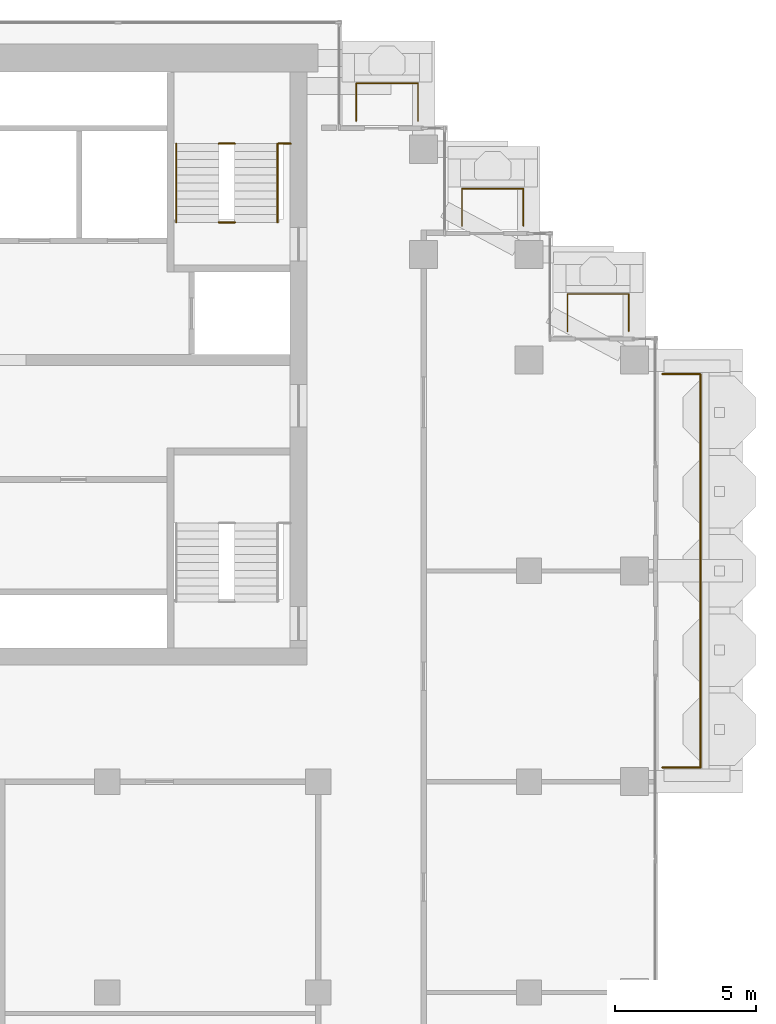
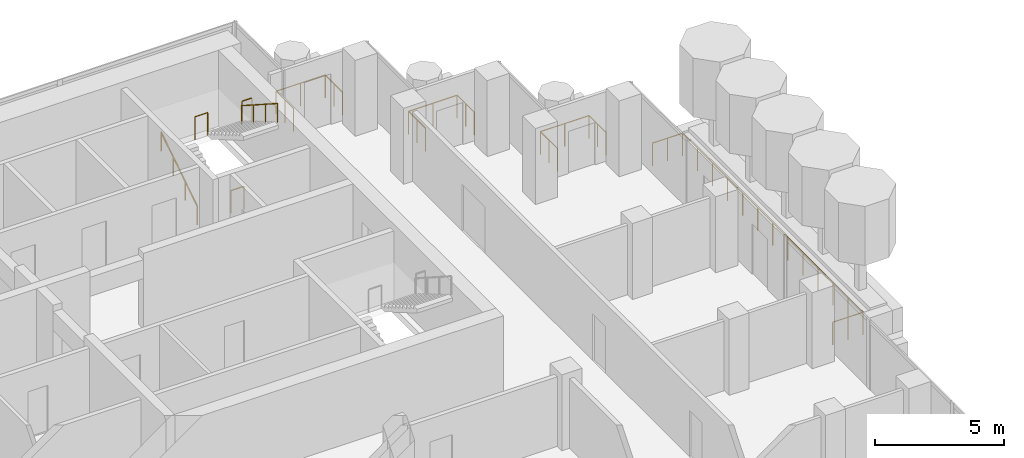
# One storey, part 17 of 18: 9 railings.
"""IFC4 building model written with IfcOpenShell, lengths in metres."""

from ifc_helpers import new_model, si_unit, direction, frame, origin, origin_2d, place, context, subcontext, project, spatial, circle, extrude, material, type_object, element, save


model = new_model("IFC4")

# Units and contexts
model_context = context("Model", 3, precision=1e-05, world=origin(), true_north=direction((0.0, 1.0)))
body_context = subcontext(model_context, "Body", "Model", "MODEL_VIEW")
ifc_project = project(units=[si_unit("LENGTHUNIT", "METRE"), si_unit("AREAUNIT", "SQUARE_METRE"), si_unit("VOLUMEUNIT", "CUBIC_METRE"), si_unit("PLANEANGLEUNIT", "RADIAN"), si_unit("MASSUNIT", "GRAM", prefix="KILO")], contexts=[model_context])

# Site, building, storey
site_placement = place(None, origin())
site = spatial("IfcSite", under=ifc_project, at=site_placement, CompositionType="ELEMENT")
building_placement = place(site_placement, origin())
building = spatial("IfcBuilding", under=site, at=building_placement, Name="Pilkhan Gate Tower", CompositionType="ELEMENT")
storey_placement = place(building_placement, frame((0.0, 0.0, 203.10009765625)))
storey = spatial("IfcBuildingStorey", under=building, at=storey_placement, Name="L52", CompositionType="ELEMENT", Elevation=203.10009765625)

# Railings
ifc_material_1 = material(Name="Pale anodised aluminium posts, laminated glass infill", Category="aluminium")
railing_type_1 = type_object("IfcRailingType", Name="Balcony guard G1", PredefinedType="BALUSTRADE", material=ifc_material_1)
railing_1_placement = place(storey_placement, frame((102.25, 68.0, 0.0)))
element("IfcRailing", 1, at=railing_1_placement, inside=storey, type_object=railing_type_1, Name="Balcony guard L52 E", PredefinedType="BALUSTRADE", context=body_context, shape_type="SweptSolid", body=[
    extrude(circle(Radius=0.02392578125, at=origin_2d()), frame((0.0, 0.0, 1.076171875), z_axis=(1.0, 0.0, 0.0), x_axis=(0.0, 1.0, 0.0)), (0.0, 0.0, 1.0), 1.35009765625),
    extrude(circle(Radius=0.02392578125, at=origin_2d()), frame((1.35009765625, 0.0, 1.076171875), z_axis=(0.0, 1.0, 0.0), x_axis=(-1.0, 0.0, 0.0)), (0.0, 0.0, 1.0), 14.0),
    extrude(circle(Radius=0.02392578125, at=origin_2d()), frame((1.35009765625, 14.0, 1.076171875), z_axis=(-1.0, 0.0, 0.0), x_axis=(0.0, -1.0, 0.0)), (0.0, 0.0, 1.0), 1.35009765625),
    extrude(circle(Radius=0.02099609375, at=origin_2d()), origin(), (0.0, 0.0, 1.0), 1.052001953125),
    extrude(circle(Radius=0.02099609375, at=origin_2d()), frame((0.675048828125, 0.0, 0.0)), (0.0, 0.0, 1.0), 1.052001953125),
    extrude(circle(Radius=0.02099609375, at=origin_2d()), frame((1.35009765625, 0.0, 0.0)), (0.0, 0.0, 1.0), 1.052001953125),
    extrude(circle(Radius=0.02099609375, at=origin_2d()), frame((1.35009765625, 1.166748046875, 0.0)), (0.0, 0.0, 1.0), 1.052001953125),
    extrude(circle(Radius=0.02099609375, at=origin_2d()), frame((1.35009765625, 2.333251953125, 0.0)), (0.0, 0.0, 1.0), 1.052001953125),
    extrude(circle(Radius=0.02099609375, at=origin_2d()), frame((1.35009765625, 3.5, 0.0)), (0.0, 0.0, 1.0), 1.052001953125),
    extrude(circle(Radius=0.02099609375, at=origin_2d()), frame((1.35009765625, 4.666748046875, 0.0)), (0.0, 0.0, 1.0), 1.052001953125),
    extrude(circle(Radius=0.02099609375, at=origin_2d()), frame((1.35009765625, 5.833251953125, 0.0)), (0.0, 0.0, 1.0), 1.052001953125),
    extrude(circle(Radius=0.02099609375, at=origin_2d()), frame((1.35009765625, 7.0, 0.0)), (0.0, 0.0, 1.0), 1.052001953125),
    extrude(circle(Radius=0.02099609375, at=origin_2d()), frame((1.35009765625, 8.166748046875, 0.0)), (0.0, 0.0, 1.0), 1.052001953125),
    extrude(circle(Radius=0.02099609375, at=origin_2d()), frame((1.35009765625, 9.333251953125, 0.0)), (0.0, 0.0, 1.0), 1.052001953125),
    extrude(circle(Radius=0.02099609375, at=origin_2d()), frame((1.35009765625, 10.5, 0.0)), (0.0, 0.0, 1.0), 1.052001953125),
    extrude(circle(Radius=0.02099609375, at=origin_2d()), frame((1.35009765625, 11.666748046875, 0.0)), (0.0, 0.0, 1.0), 1.052001953125),
    extrude(circle(Radius=0.02099609375, at=origin_2d()), frame((1.35009765625, 12.833251953125, 0.0)), (0.0, 0.0, 1.0), 1.052001953125),
    extrude(circle(Radius=0.02099609375, at=origin_2d()), frame((1.35009765625, 14.0, 0.0)), (0.0, 0.0, 1.0), 1.052001953125),
    extrude(circle(Radius=0.02099609375, at=origin_2d()), frame((0.675048828125, 14.0, 0.0)), (0.0, 0.0, 1.0), 1.052001953125),
    extrude(circle(Radius=0.02099609375, at=origin_2d()), frame((0.0, 14.0, 0.0)), (0.0, 0.0, 1.0), 1.052001953125),
])
railing_2_placement = place(storey_placement, frame((91.35009765625, 91.0, 0.0)))
element("IfcRailing", 2, at=railing_2_placement, inside=storey, type_object=railing_type_1, Name="Balcony guard L52 N", PredefinedType="BALUSTRADE", context=body_context, shape_type="SweptSolid", body=[
    extrude(circle(Radius=0.02392578125, at=origin_2d()), frame((0.0, 0.0, 1.076171875), z_axis=(0.0, 1.0, 0.0), x_axis=(-1.0, 0.0, 0.0)), (0.0, 0.0, 1.0), 1.35009765625),
    extrude(circle(Radius=0.02392578125, at=origin_2d()), frame((0.0, 1.35009765625, 1.076171875), z_axis=(1.0, 0.0, 0.0), x_axis=(0.0, 1.0, 0.0)), (0.0, 0.0, 1.0), 2.199951171875),
    extrude(circle(Radius=0.02392578125, at=origin_2d()), frame((2.199951171875, 1.35009765625, 1.076171875), z_axis=(0.0, -1.0, 0.0), x_axis=(1.0, 0.0, 0.0)), (0.0, 0.0, 1.0), 1.35009765625),
    extrude(circle(Radius=0.02099609375, at=origin_2d()), origin(), (0.0, 0.0, 1.0), 1.052001953125),
    extrude(circle(Radius=0.02099609375, at=origin_2d()), frame((0.0, 0.675048828125, 0.0)), (0.0, 0.0, 1.0), 1.052001953125),
    extrude(circle(Radius=0.02099609375, at=origin_2d()), frame((0.0, 1.35009765625, 0.0)), (0.0, 0.0, 1.0), 1.052001953125),
    extrude(circle(Radius=0.02099609375, at=origin_2d()), frame((1.10009765625, 1.35009765625, 0.0)), (0.0, 0.0, 1.0), 1.052001953125),
    extrude(circle(Radius=0.02099609375, at=origin_2d()), frame((2.199951171875, 1.35009765625, 0.0)), (0.0, 0.0, 1.0), 1.052001953125),
    extrude(circle(Radius=0.02099609375, at=origin_2d()), frame((2.199951171875, 0.675048828125, 0.0)), (0.0, 0.0, 1.0), 1.052001953125),
    extrude(circle(Radius=0.02099609375, at=origin_2d()), frame((2.199951171875, 0.0, 0.0)), (0.0, 0.0, 1.0), 1.052001953125),
])
for number, where, name in (
    (3, (95.1201171875, 87.27001953125, 0.0), "Balcony guard L52 N"),
    (4, (98.8701171875, 83.52001953125, 0.0), "Balcony guard L52 N"),
):
    element("IfcRailing", number, at=place(storey_placement, frame(where)), inside=storey, type_object=railing_type_1, Name=name, PredefinedType="BALUSTRADE", context=body_context, shape_type="SweptSolid", body=[
        extrude(circle(Radius=0.02392578125, at=origin_2d()), frame((0.0, 0.0, 1.076171875), z_axis=(0.0, 1.0, 0.0), x_axis=(-1.0, 0.0, 0.0)), (0.0, 0.0, 1.0), 1.330078125),
        extrude(circle(Radius=0.02392578125, at=origin_2d()), frame((0.0, 1.330078125, 1.076171875), z_axis=(1.0, 0.0, 0.0), x_axis=(0.0, 1.0, 0.0)), (0.0, 0.0, 1.0), 2.179931640625),
        extrude(circle(Radius=0.02392578125, at=origin_2d()), frame((2.179931640625, 1.330078125, 1.076171875), z_axis=(0.0, -1.0, 0.0), x_axis=(1.0, 0.0, 0.0)), (0.0, 0.0, 1.0), 1.330078125),
        extrude(circle(Radius=0.02099609375, at=origin_2d()), origin(), (0.0, 0.0, 1.0), 1.052001953125),
        extrude(circle(Radius=0.02099609375, at=origin_2d()), frame((0.0, 0.6650390625, 0.0)), (0.0, 0.0, 1.0), 1.052001953125),
        extrude(circle(Radius=0.02099609375, at=origin_2d()), frame((0.0, 1.330078125, 0.0)), (0.0, 0.0, 1.0), 1.052001953125),
        extrude(circle(Radius=0.02099609375, at=origin_2d()), frame((1.08984375, 1.330078125, 0.0)), (0.0, 0.0, 1.0), 1.052001953125),
        extrude(circle(Radius=0.02099609375, at=origin_2d()), frame((2.179931640625, 1.330078125, 0.0)), (0.0, 0.0, 1.0), 1.052001953125),
        extrude(circle(Radius=0.02099609375, at=origin_2d()), frame((2.179931640625, 0.6650390625, 0.0)), (0.0, 0.0, 1.0), 1.052001953125),
        extrude(circle(Radius=0.02099609375, at=origin_2d()), frame((2.179931640625, 0.0, 0.0)), (0.0, 0.0, 1.0), 1.052001953125),
    ])
ifc_material_2 = material(Name="Black powder-coated steel tube", Category="steel")
railing_type_2 = type_object("IfcRailingType", Name="Stair handrail HR1", PredefinedType="HANDRAIL", material=ifc_material_2)
railing_3_placement = place(storey_placement, frame((84.949951171875, 87.39990234375, 0.0)))
element("IfcRailing", 5, at=railing_3_placement, inside=storey, type_object=railing_type_2, Name="Stair ST4 handrail L52", PredefinedType="HANDRAIL", context=body_context, shape_type="SweptSolid", body=[
    extrude(circle(Radius=0.02392578125, at=origin_2d()), frame((0.0, 0.0, 0.8759765625), z_axis=(0.0, 0.841209454229, 0.540709398952), x_axis=(-1.0, 0.0, 0.0)), (0.0, 0.0, 1.0), 3.32861328125),
    extrude(circle(Radius=0.02099609375, at=origin_2d()), origin(), (0.0, 0.0, 1.0), 0.851806640625),
    extrude(circle(Radius=0.02099609375, at=origin_2d()), frame((0.0, 0.933349609375, 0.599853515625)), (0.0, 0.0, 1.0), 0.851806640625),
    extrude(circle(Radius=0.02099609375, at=origin_2d()), frame((0.0, 1.86669921875, 1.199951171875)), (0.0, 0.0, 1.0), 0.851806640625),
    extrude(circle(Radius=0.02099609375, at=origin_2d()), frame((0.0, 2.800048828125, 1.7998046875)), (0.0, 0.0, 1.0), 0.851806640625),
])
railing_4_placement = place(storey_placement, frame((88.550048828125, 90.199951171875, 1.7998046875)))
element("IfcRailing", 6, at=railing_4_placement, inside=storey, type_object=railing_type_2, Name="Stair ST4 handrail L52", PredefinedType="HANDRAIL", context=body_context, shape_type="SweptSolid", body=[
    extrude(circle(Radius=0.02392578125, at=origin_2d()), frame((0.0, 0.0, 0.8759765625), z_axis=(0.0, -0.841176092368, 0.540761298198), x_axis=(1.0, 0.0, 0.0)), (0.0, 0.0, 1.0), 3.32861328125),
    extrude(circle(Radius=0.02099609375, at=origin_2d()), origin(), (0.0, 0.0, 1.0), 0.851806640625),
    extrude(circle(Radius=0.02099609375, at=origin_2d()), frame((0.0, -0.933349609375, 0.60009765625)), (0.0, 0.0, 1.0), 0.851806640625),
    extrude(circle(Radius=0.02099609375, at=origin_2d()), frame((0.0, -1.86669921875, 1.199951171875)), (0.0, 0.0, 1.0), 0.851806640625),
    extrude(circle(Radius=0.02099609375, at=origin_2d()), frame((0.0, -2.800048828125, 1.800048828125)), (0.0, 0.0, 1.0), 0.851806640625),
])
ifc_material_3 = material(Name="Black powder-coated steel balusters", Category="steel")
railing_type_3 = type_object("IfcRailingType", Name="Stair well guard G3", PredefinedType="GUARDRAIL", material=ifc_material_3)
railing_5_placement = place(storey_placement, frame((88.580078125, 90.199951171875, 1.7998046875)))
element("IfcRailing", 7, at=railing_5_placement, inside=storey, type_object=railing_type_3, Name="Stair ST4 well guard L52", PredefinedType="GUARDRAIL", context=body_context, shape_type="SweptSolid", body=[
    extrude(circle(Radius=0.02392578125, at=origin_2d()), frame((0.0, 0.0, 1.076171875), z_axis=(1.0, 0.0, 0.0), x_axis=(0.0, 1.0, 0.0)), (0.0, 0.0, 1.0), 0.43994140625),
    extrude(circle(Radius=0.02099609375, at=origin_2d()), origin(), (0.0, 0.0, 1.0), 1.052001953125),
    extrude(circle(Radius=0.02099609375, at=origin_2d()), frame((0.43994140625, 0.0, 0.0)), (0.0, 0.0, 1.0), 1.052001953125),
])
for number, where, name in (
    (8, (86.4599609375, 87.39990234375, 0.0), "Stair ST4 well guard L52"),
    (9, (86.4599609375, 90.199951171875, 1.7998046875), "Stair ST4 well guard L52"),
):
    element("IfcRailing", number, at=place(storey_placement, frame(where)), inside=storey, type_object=railing_type_3, Name=name, PredefinedType="GUARDRAIL", context=body_context, shape_type="SweptSolid", body=[
        extrude(circle(Radius=0.02392578125, at=origin_2d()), frame((0.0, 0.0, 1.076171875), z_axis=(1.0, 0.0, 0.0), x_axis=(0.0, 1.0, 0.0)), (0.0, 0.0, 1.0), 0.580078125),
        extrude(circle(Radius=0.02099609375, at=origin_2d()), origin(), (0.0, 0.0, 1.0), 1.052001953125),
        extrude(circle(Radius=0.02099609375, at=origin_2d()), frame((0.580078125, 0.0, 0.0)), (0.0, 0.0, 1.0), 1.052001953125),
    ])

save(model, "model.ifc")
